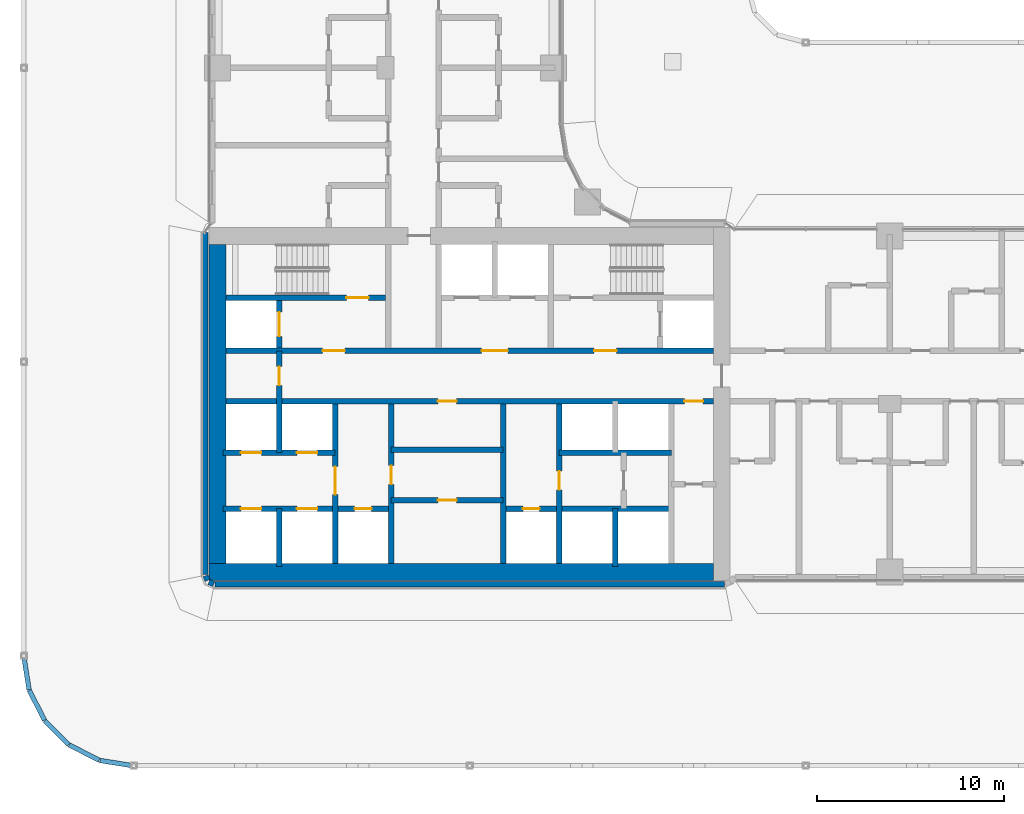
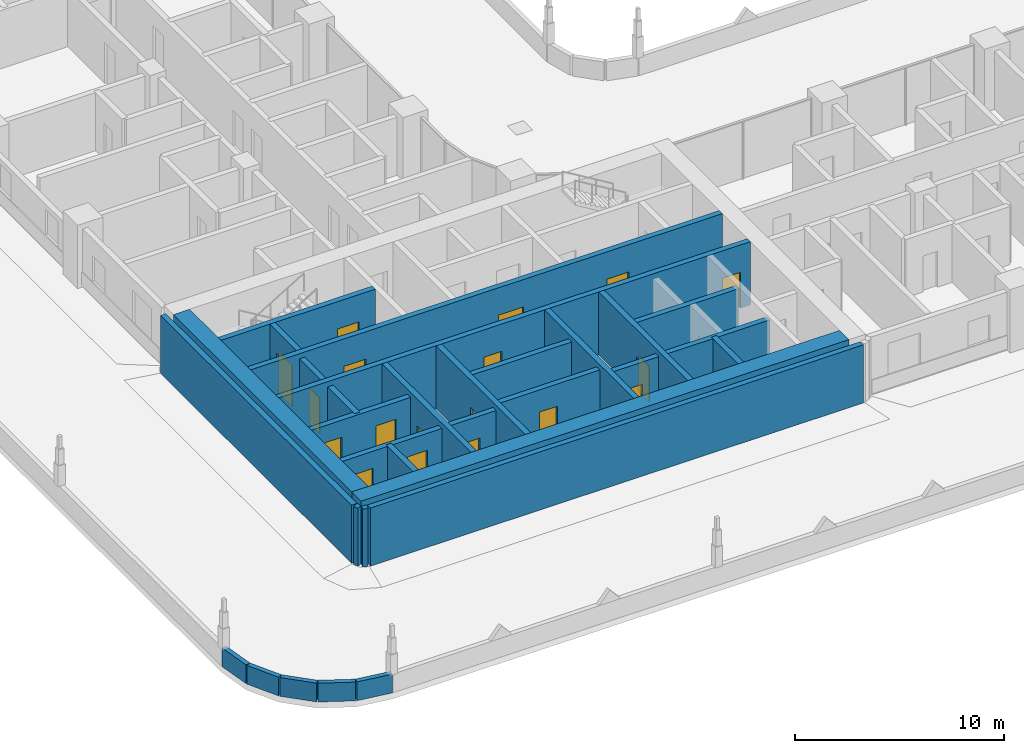
# One storey, part 21 of 51: 28 walls, 18 doors, 18 openings.
"""IFC4 building model written with IfcOpenShell, lengths in metres."""

from ifc_helpers import new_model, si_unit, direction, frame, frame_2d, origin, place, context, subcontext, project, spatial, rectangle, extrude, material, layer, layer_set, type_object, element, fill, save


model = new_model("IFC4")

# Units and contexts
model_context = context("Model", 3, precision=1e-05, world=origin(), true_north=direction((0.0, 1.0)))
body_context = subcontext(model_context, "Body", "Model", "MODEL_VIEW")
ifc_project = project(units=[si_unit("LENGTHUNIT", "METRE"), si_unit("AREAUNIT", "SQUARE_METRE"), si_unit("VOLUMEUNIT", "CUBIC_METRE"), si_unit("PLANEANGLEUNIT", "RADIAN"), si_unit("MASSUNIT", "GRAM", prefix="KILO")], contexts=[model_context])

# Site, building, storey
site_placement = place(None, origin())
site = spatial("IfcSite", under=ifc_project, at=site_placement, CompositionType="ELEMENT")
building_placement = place(site_placement, origin())
building = spatial("IfcBuilding", under=site, at=building_placement, Name="Ogive Portal Towers", CompositionType="ELEMENT")
storey_placement = place(building_placement, frame((0.0, 0.0, 33.5)))
storey = spatial("IfcBuildingStorey", under=building, at=storey_placement, Name="L06", CompositionType="ELEMENT", Elevation=33.5)

# Wall, opening, door
ifc_material_1 = material(Name="Concrete C60/75", Category="concrete")
ifc_layer_1 = layer(ifc_material_1, 0.300048828125)
ifc_layer_set_1 = layer_set([ifc_layer_1], Name="CORE WALL 300 C60")
wall_type_1 = type_object("IfcWallType", Name="CORE WALL 300 C60", PredefinedType="SHEAR", material=ifc_layer_set_1)
wall_1_placement = place(storey_placement, frame((37.800048828125, 21.949951171875, 0.0), z_axis=(0.0, 0.0, 1.0), x_axis=(0.0, 1.0, 0.0)))
wall_1 = element("IfcWall", 1, at=wall_1_placement, inside=storey, type_object=wall_type_1, Name="Core wall X1 L06", PredefinedType="SHEAR", context=body_context, shape_type="SweptSolid", body=[
    extrude(rectangle(XDim=8.550048828125, YDim=0.300048828125, at=frame_2d((4.27490234375, 0.0))), origin(), (0.0, 0.0, 1.0), 3.699951171875),
])
opening_1_placement = place(wall_1_placement, frame((3.699951171875, 0.0, 0.0)))
opening_1 = element("IfcOpeningElement", 2, at=opening_1_placement, cuts=wall_1, Name="Opening D01-001", PredefinedType="OPENING", context=body_context, shape_type="SweptSolid", body=[
    extrude(rectangle(XDim=1.5, YDim=2.10009765625, at=frame_2d((0.75, 1.050048828125))), frame((0.0, 0.16015625, 0.0), z_axis=(0.0, -1.0, 0.0), x_axis=(1.0, 0.0, 0.0)), (0.0, 0.0, 1.0), 0.320068359375),
])
ifc_material_2 = material(Name="Steel fire door", Category="steel")
door_type_1 = type_object("IfcDoorType", Name="DT-SWING-1500x2100-FD90S", OperationType="SINGLE_SWING_LEFT", PredefinedType="DOOR", material=ifc_material_2)
door_1_placement = place(opening_1_placement, origin())
door_1 = element("IfcDoor", 3, at=door_1_placement, inside=storey, type_object=door_type_1, Name="Door D01-001", OperationType="SINGLE_SWING_LEFT", OverallHeight=2.10009765625, OverallWidth=1.5, PredefinedType="DOOR", context=body_context, shape_type="SweptSolid", body=[
    extrude(rectangle(XDim=1.5, YDim=2.10009765625, at=frame_2d((0.75, 1.050048828125))), frame((0.0, 0.02490234375, 0.0), z_axis=(0.0, -1.0, 0.0), x_axis=(1.0, 0.0, 0.0)), (0.0, 0.0, 1.0), 0.050048828125),
])
fill(opening_1, door_1)

wall_2_placement = place(storey_placement, frame((40.800048828125, 21.949951171875, 0.0), z_axis=(0.0, 0.0, 1.0), x_axis=(0.0, 1.0, 0.0)))
wall_2 = element("IfcWall", 4, at=wall_2_placement, inside=storey, type_object=wall_type_1, Name="Core wall X2 L06", PredefinedType="SHEAR", context=body_context, shape_type="SweptSolid", body=[
    extrude(rectangle(XDim=8.550048828125, YDim=0.300048828125, at=frame_2d((4.27490234375, 0.0))), origin(), (0.0, 0.0, 1.0), 3.699951171875),
])
opening_2_placement = place(wall_2_placement, frame((4.25, 0.0, 0.0)))
opening_2 = element("IfcOpeningElement", 5, at=opening_2_placement, cuts=wall_2, Name="Opening D01-022", PredefinedType="OPENING", context=body_context, shape_type="SweptSolid", body=[
    extrude(rectangle(XDim=1.0, YDim=2.10009765625, at=frame_2d((0.5, 1.050048828125))), frame((0.0, 0.16015625, 0.0), z_axis=(0.0, -1.0, 0.0), x_axis=(1.0, 0.0, 0.0)), (0.0, 0.0, 1.0), 0.320068359375),
])
door_type_2 = type_object("IfcDoorType", Name="DT-SWING-1000x2100-FD90S", OperationType="SINGLE_SWING_LEFT", PredefinedType="DOOR", material=ifc_material_2)
door_2_placement = place(opening_2_placement, origin())
door_2 = element("IfcDoor", 6, at=door_2_placement, inside=storey, type_object=door_type_2, Name="Door D01-022", OperationType="SINGLE_SWING_RIGHT", OverallHeight=2.10009765625, OverallWidth=1.0, PredefinedType="DOOR", context=body_context, shape_type="SweptSolid", body=[
    extrude(rectangle(XDim=1.0, YDim=2.10009765625, at=frame_2d((0.5, 1.050048828125))), frame((0.0, 0.02490234375, 0.0), z_axis=(0.0, -1.0, 0.0), x_axis=(1.0, 0.0, 0.0)), (0.0, 0.0, 1.0), 0.050048828125),
])
fill(opening_2, door_2)

# Wall
wall_3_placement = place(storey_placement, frame((46.800048828125, 21.949951171875, 0.0), z_axis=(0.0, 0.0, 1.0), x_axis=(0.0, 1.0, 0.0)))
element("IfcWall", 7, at=wall_3_placement, inside=storey, type_object=wall_type_1, Name="Core wall X3 L06", PredefinedType="SHEAR", context=body_context, shape_type="SweptSolid", body=[
    extrude(rectangle(XDim=8.550048828125, YDim=0.300048828125, at=frame_2d((4.27490234375, 0.0))), origin(), (0.0, 0.0, 1.0), 3.699951171875),
])

# Wall, opening, door
wall_4_placement = place(storey_placement, frame((49.800048828125, 21.949951171875, 0.0), z_axis=(0.0, 0.0, 1.0), x_axis=(0.0, 1.0, 0.0)))
wall_4 = element("IfcWall", 8, at=wall_4_placement, inside=storey, type_object=wall_type_1, Name="Core wall X4 L06", PredefinedType="SHEAR", context=body_context, shape_type="SweptSolid", body=[
    extrude(rectangle(XDim=8.550048828125, YDim=0.300048828125, at=frame_2d((4.27490234375, 0.0))), origin(), (0.0, 0.0, 1.0), 3.699951171875),
])
opening_3_placement = place(wall_4_placement, frame((3.949951171875, 0.0, 0.0)))
opening_3 = element("IfcOpeningElement", 9, at=opening_3_placement, cuts=wall_4, Name="Opening D01-024", PredefinedType="OPENING", context=body_context, shape_type="SweptSolid", body=[
    extrude(rectangle(XDim=1.0, YDim=2.10009765625, at=frame_2d((0.5, 1.050048828125))), frame((0.0, 0.16015625, 0.0), z_axis=(0.0, -1.0, 0.0), x_axis=(1.0, 0.0, 0.0)), (0.0, 0.0, 1.0), 0.320068359375),
])
door_3_placement = place(opening_3_placement, origin())
door_3 = element("IfcDoor", 10, at=door_3_placement, inside=storey, type_object=door_type_2, Name="Door D01-024", OperationType="SINGLE_SWING_RIGHT", OverallHeight=2.10009765625, OverallWidth=1.0, PredefinedType="DOOR", context=body_context, shape_type="SweptSolid", body=[
    extrude(rectangle(XDim=1.0, YDim=2.10009765625, at=frame_2d((0.5, 1.050048828125))), frame((0.0, 0.02490234375, 0.0), z_axis=(0.0, -1.0, 0.0), x_axis=(1.0, 0.0, 0.0)), (0.0, 0.0, 1.0), 0.050048828125),
])
fill(opening_3, door_3)

# Wall, openings, doors
wall_5_placement = place(storey_placement, frame((31.949951171875, 30.64990234375, 0.0), z_axis=(0.0, 0.0, 1.0), x_axis=(1.0, 0.0, 0.0)))
wall_5 = element("IfcWall", 11, at=wall_5_placement, inside=storey, type_object=wall_type_1, Name="Core wall Y1 L06", PredefinedType="SHEAR", context=body_context, shape_type="SweptSolid", body=[
    extrude(rectangle(XDim=26.10009765625, YDim=0.300048828125, at=frame_2d((13.050048828125, 0.0))), origin(), (0.0, 0.0, 1.0), 3.699951171875),
])
opening_4_placement = place(wall_5_placement, frame((24.550048828125, 0.0, 0.0)))
opening_4 = element("IfcOpeningElement", 12, at=opening_4_placement, cuts=wall_5, Name="Opening D01-009", PredefinedType="OPENING", context=body_context, shape_type="SweptSolid", body=[
    extrude(rectangle(XDim=1.0, YDim=2.10009765625, at=frame_2d((0.5, 1.050048828125))), frame((0.0, 0.16015625, 0.0), z_axis=(0.0, -1.0, 0.0), x_axis=(1.0, 0.0, 0.0)), (0.0, 0.0, 1.0), 0.320068359375),
])
opening_5_placement = place(wall_5_placement, frame((11.35009765625, 0.0, 0.0)))
opening_5 = element("IfcOpeningElement", 13, at=opening_5_placement, cuts=wall_5, Name="Opening D01-021", PredefinedType="OPENING", context=body_context, shape_type="SweptSolid", body=[
    extrude(rectangle(XDim=1.0, YDim=2.10009765625, at=frame_2d((0.5, 1.050048828125))), frame((0.0, 0.16015625, 0.0), z_axis=(0.0, -1.0, 0.0), x_axis=(1.0, 0.0, 0.0)), (0.0, 0.0, 1.0), 0.320068359375),
])
door_4_placement = place(opening_4_placement, origin())
door_4 = element("IfcDoor", 14, at=door_4_placement, inside=storey, type_object=door_type_2, Name="Door D01-009", OperationType="SINGLE_SWING_LEFT", OverallHeight=2.10009765625, OverallWidth=1.0, PredefinedType="DOOR", context=body_context, shape_type="SweptSolid", body=[
    extrude(rectangle(XDim=1.0, YDim=2.10009765625, at=frame_2d((0.5, 1.050048828125))), frame((0.0, 0.02490234375, 0.0), z_axis=(0.0, -1.0, 0.0), x_axis=(1.0, 0.0, 0.0)), (0.0, 0.0, 1.0), 0.050048828125),
])
fill(opening_4, door_4)
door_5_placement = place(opening_5_placement, origin())
door_5 = element("IfcDoor", 15, at=door_5_placement, inside=storey, type_object=door_type_2, Name="Door D01-021", OperationType="SINGLE_SWING_LEFT", OverallHeight=2.10009765625, OverallWidth=1.0, PredefinedType="DOOR", context=body_context, shape_type="SweptSolid", body=[
    extrude(rectangle(XDim=1.0, YDim=2.10009765625, at=frame_2d((0.5, 1.050048828125))), frame((0.0, 0.02490234375, 0.0), z_axis=(0.0, -1.0, 0.0), x_axis=(1.0, 0.0, 0.0)), (0.0, 0.0, 1.0), 0.050048828125),
])
fill(opening_5, door_5)

wall_6_placement = place(storey_placement, frame((31.949951171875, 33.35009765625, 0.0), z_axis=(0.0, 0.0, 1.0), x_axis=(1.0, 0.0, 0.0)))
wall_6 = element("IfcWall", 16, at=wall_6_placement, inside=storey, type_object=wall_type_1, Name="Core wall Y2 L06", PredefinedType="SHEAR", context=body_context, shape_type="SweptSolid", body=[
    extrude(rectangle(XDim=26.10009765625, YDim=0.300048828125, at=frame_2d((13.050048828125, 0.0))), origin(), (0.0, 0.0, 1.0), 3.699951171875),
])
opening_6_placement = place(wall_6_placement, frame((13.699951171875, 0.0, 0.0)))
opening_6 = element("IfcOpeningElement", 17, at=opening_6_placement, cuts=wall_6, Name="Opening D01-002", PredefinedType="OPENING", context=body_context, shape_type="SweptSolid", body=[
    extrude(rectangle(XDim=1.39990234375, YDim=2.10009765625, at=frame_2d((0.699951171875, 1.050048828125))), frame((0.0, 0.16015625, 0.0), z_axis=(0.0, -1.0, 0.0), x_axis=(1.0, 0.0, 0.0)), (0.0, 0.0, 1.0), 0.320068359375),
])
opening_7_placement = place(wall_6_placement, frame((5.175048828125, 0.0, 0.0)))
opening_7 = element("IfcOpeningElement", 18, at=opening_7_placement, cuts=wall_6, Name="Opening D01-003", PredefinedType="OPENING", context=body_context, shape_type="SweptSolid", body=[
    extrude(rectangle(XDim=1.199951171875, YDim=2.10009765625, at=frame_2d((0.60009765625, 1.050048828125))), frame((0.0, 0.16015625, 0.0), z_axis=(0.0, -1.0, 0.0), x_axis=(1.0, 0.0, 0.0)), (0.0, 0.0, 1.0), 0.320068359375),
])
opening_8_placement = place(wall_6_placement, frame((19.72509765625, 0.0, 0.0)))
opening_8 = element("IfcOpeningElement", 19, at=opening_8_placement, cuts=wall_6, Name="Opening D01-004", PredefinedType="OPENING", context=body_context, shape_type="SweptSolid", body=[
    extrude(rectangle(XDim=1.199951171875, YDim=2.10009765625, at=frame_2d((0.60009765625, 1.050048828125))), frame((0.0, 0.16015625, 0.0), z_axis=(0.0, -1.0, 0.0), x_axis=(1.0, 0.0, 0.0)), (0.0, 0.0, 1.0), 0.320068359375),
])
door_type_3 = type_object("IfcDoorType", Name="DT-SWING-1200x2100-FD90S", OperationType="SINGLE_SWING_LEFT", PredefinedType="DOOR", material=ifc_material_2)
door_6_placement = place(opening_7_placement, origin())
door_6 = element("IfcDoor", 20, at=door_6_placement, inside=storey, type_object=door_type_3, Name="Door D01-003", OperationType="SINGLE_SWING_LEFT", OverallHeight=2.10009765625, OverallWidth=1.199951171875, PredefinedType="DOOR", context=body_context, shape_type="SweptSolid", body=[
    extrude(rectangle(XDim=1.199951171875, YDim=2.10009765625, at=frame_2d((0.60009765625, 1.050048828125))), frame((0.0, 0.02490234375, 0.0), z_axis=(0.0, -1.0, 0.0), x_axis=(1.0, 0.0, 0.0)), (0.0, 0.0, 1.0), 0.050048828125),
])
fill(opening_7, door_6)
door_7_placement = place(opening_8_placement, origin())
door_7 = element("IfcDoor", 21, at=door_7_placement, inside=storey, type_object=door_type_3, Name="Door D01-004", OperationType="SINGLE_SWING_RIGHT", OverallHeight=2.10009765625, OverallWidth=1.199951171875, PredefinedType="DOOR", context=body_context, shape_type="SweptSolid", body=[
    extrude(rectangle(XDim=1.199951171875, YDim=2.10009765625, at=frame_2d((0.60009765625, 1.050048828125))), frame((0.0, 0.02490234375, 0.0), z_axis=(0.0, -1.0, 0.0), x_axis=(1.0, 0.0, 0.0)), (0.0, 0.0, 1.0), 0.050048828125),
])
fill(opening_8, door_7)
door_type_4 = type_object("IfcDoorType", Name="DT-SWING-1400x2100-FD90S", OperationType="SINGLE_SWING_LEFT", PredefinedType="DOOR", material=ifc_material_2)
door_8_placement = place(opening_6_placement, origin())
door_8 = element("IfcDoor", 22, at=door_8_placement, inside=storey, type_object=door_type_4, Name="Door D01-002", OperationType="SINGLE_SWING_RIGHT", OverallHeight=2.10009765625, OverallWidth=1.39990234375, PredefinedType="DOOR", context=body_context, shape_type="SweptSolid", body=[
    extrude(rectangle(XDim=1.39990234375, YDim=2.10009765625, at=frame_2d((0.699951171875, 1.050048828125))), frame((0.0, 0.02490234375, 0.0), z_axis=(0.0, -1.0, 0.0), x_axis=(1.0, 0.0, 0.0)), (0.0, 0.0, 1.0), 0.050048828125),
])
fill(opening_6, door_8)

# Wall, opening, door
wall_7_placement = place(storey_placement, frame((31.949951171875, 36.199951171875, 0.0), z_axis=(0.0, 0.0, 1.0), x_axis=(1.0, 0.0, 0.0)))
wall_7 = element("IfcWall", 23, at=wall_7_placement, inside=storey, type_object=wall_type_1, Name="Core wall Y3a L06", PredefinedType="SHEAR", context=body_context, shape_type="SweptSolid", body=[
    extrude(rectangle(XDim=8.550048828125, YDim=0.300048828125, at=frame_2d((4.27490234375, 0.0))), origin(), (0.0, 0.0, 1.0), 3.699951171875),
])
opening_9_placement = place(wall_7_placement, frame((6.449951171875, 0.0, 0.0)))
opening_9 = element("IfcOpeningElement", 24, at=opening_9_placement, cuts=wall_7, Name="Opening D01-005", PredefinedType="OPENING", context=body_context, shape_type="SweptSolid", body=[
    extrude(rectangle(XDim=1.199951171875, YDim=2.10009765625, at=frame_2d((0.60009765625, 1.050048828125))), frame((0.0, 0.16015625, 0.0), z_axis=(0.0, -1.0, 0.0), x_axis=(1.0, 0.0, 0.0)), (0.0, 0.0, 1.0), 0.320068359375),
])
door_9_placement = place(opening_9_placement, origin())
door_9 = element("IfcDoor", 25, at=door_9_placement, inside=storey, type_object=door_type_3, Name="Door D01-005", OperationType="SINGLE_SWING_RIGHT", OverallHeight=2.10009765625, OverallWidth=1.199951171875, PredefinedType="DOOR", context=body_context, shape_type="SweptSolid", body=[
    extrude(rectangle(XDim=1.199951171875, YDim=2.10009765625, at=frame_2d((0.60009765625, 1.050048828125))), frame((0.0, 0.02490234375, 0.0), z_axis=(0.0, -1.0, 0.0), x_axis=(1.0, 0.0, 0.0)), (0.0, 0.0, 1.0), 0.050048828125),
])
fill(opening_9, door_9)

wall_8_placement = place(storey_placement, frame((34.800048828125, 33.5, 0.0), z_axis=(0.0, 0.0, 1.0), x_axis=(0.0, 1.0, 0.0)))
wall_8 = element("IfcWall", 26, at=wall_8_placement, inside=storey, type_object=wall_type_1, Name="Core wall X8 L06", PredefinedType="SHEAR", context=body_context, shape_type="SweptSolid", body=[
    extrude(rectangle(XDim=2.550048828125, YDim=0.300048828125, at=frame_2d((1.27490234375, 0.0))), origin(), (0.0, 0.0, 1.0), 3.699951171875),
])
opening_10_placement = place(wall_8_placement, frame((0.625, 0.0, 0.0)))
opening_10 = element("IfcOpeningElement", 27, at=opening_10_placement, cuts=wall_8, Name="Opening D01-019", PredefinedType="OPENING", context=body_context, shape_type="SweptSolid", body=[
    extrude(rectangle(XDim=1.300048828125, YDim=2.39990234375, at=frame_2d((0.64990234375, 1.199951171875))), frame((0.0, 0.16015625, 0.0), z_axis=(0.0, -1.0, 0.0), x_axis=(1.0, 0.0, 0.0)), (0.0, 0.0, 1.0), 0.320068359375),
])
ifc_material_3 = material(Name="Stainless steel", Category="steel")
door_type_5 = type_object("IfcDoorType", Name="DT-LD-1300x2400", OperationType="SLIDING_TO_LEFT", PredefinedType="DOOR", material=ifc_material_3)
door_10_placement = place(opening_10_placement, origin())
door_10 = element("IfcDoor", 28, at=door_10_placement, inside=storey, type_object=door_type_5, Name="Door D01-019", OperationType="SLIDING_TO_LEFT", OverallHeight=2.39990234375, OverallWidth=1.300048828125, PredefinedType="DOOR", context=body_context, shape_type="SweptSolid", body=[
    extrude(rectangle(XDim=1.300048828125, YDim=2.39990234375, at=frame_2d((0.64990234375, 1.199951171875))), frame((0.0, 0.02490234375, 0.0), z_axis=(0.0, -1.0, 0.0), x_axis=(1.0, 0.0, 0.0)), (0.0, 0.0, 1.0), 0.050048828125),
])
fill(opening_10, door_10)

# Walls
ifc_layer_2 = layer(ifc_material_1, 0.89990234375)
ifc_layer_set_2 = layer_set([ifc_layer_2], Name="CORE WALL 900 C60")
wall_type_2 = type_object("IfcWallType", Name="CORE WALL 900 C60", PredefinedType="SHEAR", material=ifc_layer_set_2)
wall_9_placement = place(storey_placement, frame((31.5, 21.949951171875, 0.0), z_axis=(0.0, 0.0, 1.0), x_axis=(0.0, 1.0, 0.0)))
element("IfcWall", 29, at=wall_9_placement, inside=storey, type_object=wall_type_2, Name="Core wall W L06", PredefinedType="SHEAR", context=body_context, shape_type="SweptSolid", body=[
    extrude(rectangle(XDim=17.10009765625, YDim=0.89990234375, at=frame_2d((8.550048828125, 0.0))), origin(), (0.0, 0.0, 1.0), 3.699951171875),
])
wall_10_placement = place(storey_placement, frame((31.050048828125, 21.5, 0.0), z_axis=(0.0, 0.0, 1.0), x_axis=(1.0, 0.0, 0.0)))
element("IfcWall", 30, at=wall_10_placement, inside=storey, type_object=wall_type_2, Name="Core wall S L06", PredefinedType="SHEAR", context=body_context, shape_type="SweptSolid", body=[
    extrude(rectangle(XDim=27.0, YDim=0.89990234375, at=frame_2d((13.5, 0.0))), origin(), (0.0, 0.0, 1.0), 3.699951171875),
])
ifc_material_4 = material(Name="Limestone cladding on lightweight block wall", Category="masonry")
ifc_layer_3 = layer(ifc_material_4, 0.300048828125)
ifc_layer_set_3 = layer_set([ifc_layer_3], Name="EXTERNAL WALL 300 STONE")
wall_type_3 = type_object("IfcWallType", Name="EXTERNAL WALL 300 STONE", PredefinedType="SOLIDWALL", material=ifc_layer_set_3)
wall_11_placement = place(storey_placement, frame((30.85009765625, 39.673583984375, 0.0), z_axis=(0.0, 0.0, 1.0), x_axis=(0.0, -1.0, 0.0)))
element("IfcWall", 31, at=wall_11_placement, inside=storey, type_object=wall_type_3, Name="A:L06:f15:r0:wall", PredefinedType="SOLIDWALL", context=body_context, shape_type="SweptSolid", body=[
    extrude(rectangle(XDim=18.31396484375, YDim=0.300048828125, at=frame_2d((9.156982421875, 0.0))), origin(), (0.0, 0.0, 1.0), 3.39990234375),
])
for number, where, z_axis, x_axis, name in (
    (32, (30.861328125, 21.30224609375, 0.0), (0.0, 0.0, 1.0), (0.38297812142, -0.923757413239, 0.0), "A:L06:f16:r0:wall"),
    (33, (31.0478515625, 20.966796875, 0.0), (0.0, 0.0, 1.0), (0.923757413239, -0.38297812142, 0.0), "A:L06:f17:r0:wall"),
):
    element("IfcWall", number, at=place(storey_placement, frame(where, z_axis=z_axis, x_axis=x_axis)), inside=storey, type_object=wall_type_3, Name=name, PredefinedType="SOLIDWALL", context=body_context, shape_type="SweptSolid", body=[
        extrude(rectangle(XDim=0.275390625, YDim=0.300048828125, at=frame_2d((0.1376953125, 0.0))), origin(), (0.0, 0.0, 1.0), 3.39990234375),
    ])
wall_12_placement = place(storey_placement, frame((31.359619140625, 20.85009765625, 0.0), z_axis=(0.0, 0.0, 1.0), x_axis=(1.0, 0.0, 0.0)))
element("IfcWall", 34, at=wall_12_placement, inside=storey, type_object=wall_type_3, Name="A:L06:f18:r0:wall", PredefinedType="SOLIDWALL", context=body_context, shape_type="SweptSolid", body=[
    extrude(rectangle(XDim=27.28076171875, YDim=0.300048828125, at=frame_2d((13.640380859375, 0.0))), origin(), (0.0, 0.0, 1.0), 3.39990234375),
])
ifc_layer_4 = layer(ifc_material_4, 0.25)
ifc_layer_set_4 = layer_set([ifc_layer_4], Name="PARAPET 250 STONE")
wall_type_4 = type_object("IfcWallType", Name="PARAPET 250 STONE", PredefinedType="PARAPET", material=ifc_layer_set_4)
wall_13_placement = place(storey_placement, frame((21.12646484375, 17.0, 0.0), z_axis=(0.0, 0.0, 1.0), x_axis=(0.156466017699, -0.987683342628, 0.0)))
element("IfcWall", 35, at=wall_13_placement, inside=storey, type_object=wall_type_4, Name="A:L06:proof0:para01", PredefinedType="PARAPET", context=body_context, shape_type="SweptSolid", body=[
    extrude(rectangle(XDim=1.81787109375, YDim=0.25, at=frame_2d((0.908935546875, 0.0))), origin(), (0.0, 0.0, 1.0), 1.10009765625),
])
wall_14_placement = place(storey_placement, frame((21.423095703125, 15.16748046875, 0.0), z_axis=(0.0, 0.0, 1.0), x_axis=(0.453935951982, -0.891034315556, 0.0)))
element("IfcWall", 36, at=wall_14_placement, inside=storey, type_object=wall_type_4, Name="A:L06:proof0:para02", PredefinedType="PARAPET", context=body_context, shape_type="SweptSolid", body=[
    extrude(rectangle(XDim=1.7978515625, YDim=0.25, at=frame_2d((0.89892578125, 0.0))), origin(), (0.0, 0.0, 1.0), 1.10009765625),
])
wall_15_placement = place(storey_placement, frame((22.26220703125, 13.53369140625, 0.0), z_axis=(0.0, 0.0, 1.0), x_axis=(0.707106781187, -0.707106781187, 0.0)))
element("IfcWall", 37, at=wall_15_placement, inside=storey, type_object=wall_type_4, Name="A:L06:proof0:para03", PredefinedType="PARAPET", context=body_context, shape_type="SweptSolid", body=[
    extrude(rectangle(XDim=1.798095703125, YDim=0.25, at=frame_2d((0.89892578125, 0.0))), origin(), (0.0, 0.0, 1.0), 1.10009765625),
])
wall_16_placement = place(storey_placement, frame((23.5654296875, 12.2392578125, 0.0), z_axis=(0.0, 0.0, 1.0), x_axis=(0.891034315556, -0.453935951982, 0.0)))
element("IfcWall", 38, at=wall_16_placement, inside=storey, type_object=wall_type_4, Name="A:L06:proof0:para04", PredefinedType="PARAPET", context=body_context, shape_type="SweptSolid", body=[
    extrude(rectangle(XDim=1.7978515625, YDim=0.25, at=frame_2d((0.89892578125, 0.0))), origin(), (0.0, 0.0, 1.0), 1.10009765625),
])
wall_17_placement = place(storey_placement, frame((25.20458984375, 11.410888671875, 0.0), z_axis=(0.0, 0.0, 1.0), x_axis=(0.987683342628, -0.156466017699, 0.0)))
element("IfcWall", 39, at=wall_17_placement, inside=storey, type_object=wall_type_4, Name="A:L06:proof0:para05", PredefinedType="PARAPET", context=body_context, shape_type="SweptSolid", body=[
    extrude(rectangle(XDim=1.81787109375, YDim=0.25, at=frame_2d((0.908935546875, 0.0))), origin(), (0.0, 0.0, 1.0), 1.10009765625),
])

# Wall, opening, door
ifc_material_5 = material(Name="Gypsum board partition on steel studs", Category="steel")
ifc_layer_5 = layer(ifc_material_5, 0.300048828125)
ifc_layer_set_5 = layer_set([ifc_layer_5], Name="WT-PART-300")
wall_type_5 = type_object("IfcWallType", Name="WT-PART-300", PredefinedType="PARTITIONING", material=ifc_layer_set_5)
wall_18_placement = place(storey_placement, frame((40.800048828125, 25.35009765625, 0.0), z_axis=(0.0, 0.0, 1.0), x_axis=(1.0, 0.0, 0.0)))
wall_18 = element("IfcWall", 40, at=wall_18_placement, inside=storey, type_object=wall_type_5, Name="Wall pw:003:L06", PredefinedType="PARTITIONING", context=body_context, shape_type="SweptSolid", body=[
    extrude(rectangle(XDim=6.0, YDim=0.300048828125, at=frame_2d((3.0, 0.0))), origin(), (0.0, 0.0, 1.0), 3.39990234375),
])
opening_11_placement = place(wall_18_placement, frame((2.5, 0.0, 0.0)))
opening_11 = element("IfcOpeningElement", 41, at=opening_11_placement, cuts=wall_18, Name="Opening D01-023", PredefinedType="OPENING", context=body_context, shape_type="SweptSolid", body=[
    extrude(rectangle(XDim=1.0, YDim=2.10009765625, at=frame_2d((0.5, 1.050048828125))), frame((0.0, 0.16015625, 0.0), z_axis=(0.0, -1.0, 0.0), x_axis=(1.0, 0.0, 0.0)), (0.0, 0.0, 1.0), 0.320068359375),
])
door_type_6 = type_object("IfcDoorType", Name="DT-SWING-1000x2100-FD60S", OperationType="SINGLE_SWING_LEFT", PredefinedType="DOOR", material=ifc_material_2)
door_11_placement = place(opening_11_placement, origin())
door_11 = element("IfcDoor", 42, at=door_11_placement, inside=storey, type_object=door_type_6, Name="Door D01-023", OperationType="SINGLE_SWING_RIGHT", OverallHeight=2.10009765625, OverallWidth=1.0, PredefinedType="DOOR", context=body_context, shape_type="SweptSolid", body=[
    extrude(rectangle(XDim=1.0, YDim=2.10009765625, at=frame_2d((0.5, 1.050048828125))), frame((0.0, 0.02490234375, 0.0), z_axis=(0.0, -1.0, 0.0), x_axis=(1.0, 0.0, 0.0)), (0.0, 0.0, 1.0), 0.050048828125),
])
fill(opening_11, door_11)

# Wall
wall_19_placement = place(storey_placement, frame((40.800048828125, 28.050048828125, 0.0), z_axis=(0.0, 0.0, 1.0), x_axis=(1.0, 0.0, 0.0)))
element("IfcWall", 43, at=wall_19_placement, inside=storey, type_object=wall_type_5, Name="Wall pw:007:L06", PredefinedType="PARTITIONING", context=body_context, shape_type="SweptSolid", body=[
    extrude(rectangle(XDim=6.0, YDim=0.300048828125, at=frame_2d((3.0, 0.0))), origin(), (0.0, 0.0, 1.0), 3.39990234375),
])

# Wall, openings, doors
ifc_material_6 = material(Name="Concrete C40/50", Category="concrete")
ifc_layer_6 = layer(ifc_material_6, 0.300048828125)
ifc_layer_set_6 = layer_set([ifc_layer_6], Name="WT-SHAFT-300")
wall_type_6 = type_object("IfcWallType", Name="WT-SHAFT-300", PredefinedType="SOLIDWALL", material=ifc_layer_set_6)
wall_20_placement = place(storey_placement, frame((31.800048828125, 24.89990234375, 0.0), z_axis=(0.0, 0.0, 1.0), x_axis=(1.0, 0.0, 0.0)))
wall_20 = element("IfcWall", 44, at=wall_20_placement, inside=storey, type_object=wall_type_6, Name="Wall pw:001:L06", PredefinedType="SOLIDWALL", context=body_context, shape_type="SweptSolid", body=[
    extrude(rectangle(XDim=9.0, YDim=0.300048828125, at=frame_2d((4.5, 0.0))), origin(), (0.0, 0.0, 1.0), 3.39990234375),
])
opening_12_placement = place(wall_20_placement, frame((7.050048828125, 0.0, 0.0)))
opening_12 = element("IfcOpeningElement", 45, at=opening_12_placement, cuts=wall_20, Name="Opening D01-007", PredefinedType="OPENING", context=body_context, shape_type="SweptSolid", body=[
    extrude(rectangle(XDim=0.89990234375, YDim=2.10009765625, at=frame_2d((0.449951171875, 1.050048828125))), frame((0.0, 0.16015625, 0.0), z_axis=(0.0, -1.0, 0.0), x_axis=(1.0, 0.0, 0.0)), (0.0, 0.0, 1.0), 0.320068359375),
])
opening_13_placement = place(wall_20_placement, frame((0.949951171875, 0.0, 0.0)))
opening_13 = element("IfcOpeningElement", 46, at=opening_13_placement, cuts=wall_20, Name="Opening D01-013", PredefinedType="OPENING", context=body_context, shape_type="SweptSolid", body=[
    extrude(rectangle(XDim=1.10009765625, YDim=2.39990234375, at=frame_2d((0.550048828125, 1.199951171875))), frame((0.0, 0.16015625, 0.0), z_axis=(0.0, -1.0, 0.0), x_axis=(1.0, 0.0, 0.0)), (0.0, 0.0, 1.0), 0.320068359375),
])
opening_14_placement = place(wall_20_placement, frame((3.949951171875, 0.0, 0.0)))
opening_14 = element("IfcOpeningElement", 47, at=opening_14_placement, cuts=wall_20, Name="Opening D01-014", PredefinedType="OPENING", context=body_context, shape_type="SweptSolid", body=[
    extrude(rectangle(XDim=1.10009765625, YDim=2.39990234375, at=frame_2d((0.550048828125, 1.199951171875))), frame((0.0, 0.16015625, 0.0), z_axis=(0.0, -1.0, 0.0), x_axis=(1.0, 0.0, 0.0)), (0.0, 0.0, 1.0), 0.320068359375),
])
door_type_7 = type_object("IfcDoorType", Name="DT-LD-1100x2400", OperationType="SLIDING_TO_LEFT", PredefinedType="DOOR", material=ifc_material_3)
door_12_placement = place(opening_13_placement, origin())
door_12 = element("IfcDoor", 48, at=door_12_placement, inside=storey, type_object=door_type_7, Name="Door D01-013", OperationType="SLIDING_TO_LEFT", OverallHeight=2.39990234375, OverallWidth=1.10009765625, PredefinedType="DOOR", context=body_context, shape_type="SweptSolid", body=[
    extrude(rectangle(XDim=1.10009765625, YDim=2.39990234375, at=frame_2d((0.550048828125, 1.199951171875))), frame((0.0, 0.02490234375, 0.0), z_axis=(0.0, -1.0, 0.0), x_axis=(1.0, 0.0, 0.0)), (0.0, 0.0, 1.0), 0.050048828125),
])
fill(opening_13, door_12)
door_13_placement = place(opening_14_placement, origin())
door_13 = element("IfcDoor", 49, at=door_13_placement, inside=storey, type_object=door_type_7, Name="Door D01-014", OperationType="SLIDING_TO_LEFT", OverallHeight=2.39990234375, OverallWidth=1.10009765625, PredefinedType="DOOR", context=body_context, shape_type="SweptSolid", body=[
    extrude(rectangle(XDim=1.10009765625, YDim=2.39990234375, at=frame_2d((0.550048828125, 1.199951171875))), frame((0.0, 0.02490234375, 0.0), z_axis=(0.0, -1.0, 0.0), x_axis=(1.0, 0.0, 0.0)), (0.0, 0.0, 1.0), 0.050048828125),
])
fill(opening_14, door_13)
door_type_8 = type_object("IfcDoorType", Name="DT-SWING-900x2100-FD90S", OperationType="SINGLE_SWING_LEFT", PredefinedType="DOOR", material=ifc_material_2)
door_14_placement = place(opening_12_placement, origin())
door_14 = element("IfcDoor", 50, at=door_14_placement, inside=storey, type_object=door_type_8, Name="Riser access door D01-007", OperationType="SINGLE_SWING_LEFT", OverallHeight=2.10009765625, OverallWidth=0.89990234375, PredefinedType="DOOR", context=body_context, shape_type="SweptSolid", body=[
    extrude(rectangle(XDim=0.89990234375, YDim=2.10009765625, at=frame_2d((0.449951171875, 1.050048828125))), frame((0.0, 0.02490234375, 0.0), z_axis=(0.0, -1.0, 0.0), x_axis=(1.0, 0.0, 0.0)), (0.0, 0.0, 1.0), 0.050048828125),
])
fill(opening_12, door_14)

# Wall, opening, door
wall_21_placement = place(storey_placement, frame((46.800048828125, 24.89990234375, 0.0), z_axis=(0.0, 0.0, 1.0), x_axis=(1.0, 0.0, 0.0)))
wall_21 = element("IfcWall", 51, at=wall_21_placement, inside=storey, type_object=wall_type_6, Name="Wall pw:002:L06", PredefinedType="SOLIDWALL", context=body_context, shape_type="SweptSolid", body=[
    extrude(rectangle(XDim=9.0, YDim=0.300048828125, at=frame_2d((4.5, 0.0))), origin(), (0.0, 0.0, 1.0), 3.39990234375),
])
opening_15_placement = place(wall_21_placement, frame((1.050048828125, 0.0, 0.0)))
opening_15 = element("IfcOpeningElement", 52, at=opening_15_placement, cuts=wall_21, Name="Opening D01-008", PredefinedType="OPENING", context=body_context, shape_type="SweptSolid", body=[
    extrude(rectangle(XDim=0.89990234375, YDim=2.10009765625, at=frame_2d((0.449951171875, 1.050048828125))), frame((0.0, 0.16015625, 0.0), z_axis=(0.0, -1.0, 0.0), x_axis=(1.0, 0.0, 0.0)), (0.0, 0.0, 1.0), 0.320068359375),
])
door_15_placement = place(opening_15_placement, origin())
door_15 = element("IfcDoor", 53, at=door_15_placement, inside=storey, type_object=door_type_8, Name="Riser access door D01-008", OperationType="SINGLE_SWING_RIGHT", OverallHeight=2.10009765625, OverallWidth=0.89990234375, PredefinedType="DOOR", context=body_context, shape_type="SweptSolid", body=[
    extrude(rectangle(XDim=0.89990234375, YDim=2.10009765625, at=frame_2d((0.449951171875, 1.050048828125))), frame((0.0, 0.02490234375, 0.0), z_axis=(0.0, -1.0, 0.0), x_axis=(1.0, 0.0, 0.0)), (0.0, 0.0, 1.0), 0.050048828125),
])
fill(opening_15, door_15)

# Wall, openings, doors
wall_22_placement = place(storey_placement, frame((31.800048828125, 27.89990234375, 0.0), z_axis=(0.0, 0.0, 1.0), x_axis=(1.0, 0.0, 0.0)))
wall_22 = element("IfcWall", 54, at=wall_22_placement, inside=storey, type_object=wall_type_6, Name="Wall pw:005:L06", PredefinedType="SOLIDWALL", context=body_context, shape_type="SweptSolid", body=[
    extrude(rectangle(XDim=6.0, YDim=0.300048828125, at=frame_2d((3.0, 0.0))), origin(), (0.0, 0.0, 1.0), 3.39990234375),
])
opening_16_placement = place(wall_22_placement, frame((0.949951171875, 0.0, 0.0)))
opening_16 = element("IfcOpeningElement", 55, at=opening_16_placement, cuts=wall_22, Name="Opening D01-015", PredefinedType="OPENING", context=body_context, shape_type="SweptSolid", body=[
    extrude(rectangle(XDim=1.10009765625, YDim=2.39990234375, at=frame_2d((0.550048828125, 1.199951171875))), frame((0.0, 0.16015625, 0.0), z_axis=(0.0, -1.0, 0.0), x_axis=(1.0, 0.0, 0.0)), (0.0, 0.0, 1.0), 0.320068359375),
])
opening_17_placement = place(wall_22_placement, frame((3.949951171875, 0.0, 0.0)))
opening_17 = element("IfcOpeningElement", 56, at=opening_17_placement, cuts=wall_22, Name="Opening D01-016", PredefinedType="OPENING", context=body_context, shape_type="SweptSolid", body=[
    extrude(rectangle(XDim=1.10009765625, YDim=2.39990234375, at=frame_2d((0.550048828125, 1.199951171875))), frame((0.0, 0.16015625, 0.0), z_axis=(0.0, -1.0, 0.0), x_axis=(1.0, 0.0, 0.0)), (0.0, 0.0, 1.0), 0.320068359375),
])
door_16_placement = place(opening_16_placement, origin())
door_16 = element("IfcDoor", 57, at=door_16_placement, inside=storey, type_object=door_type_7, Name="Door D01-015", OperationType="SLIDING_TO_LEFT", OverallHeight=2.39990234375, OverallWidth=1.10009765625, PredefinedType="DOOR", context=body_context, shape_type="SweptSolid", body=[
    extrude(rectangle(XDim=1.10009765625, YDim=2.39990234375, at=frame_2d((0.550048828125, 1.199951171875))), frame((0.0, 0.02490234375, 0.0), z_axis=(0.0, -1.0, 0.0), x_axis=(1.0, 0.0, 0.0)), (0.0, 0.0, 1.0), 0.050048828125),
])
fill(opening_16, door_16)
door_17_placement = place(opening_17_placement, origin())
door_17 = element("IfcDoor", 58, at=door_17_placement, inside=storey, type_object=door_type_7, Name="Door D01-016", OperationType="SLIDING_TO_LEFT", OverallHeight=2.39990234375, OverallWidth=1.10009765625, PredefinedType="DOOR", context=body_context, shape_type="SweptSolid", body=[
    extrude(rectangle(XDim=1.10009765625, YDim=2.39990234375, at=frame_2d((0.550048828125, 1.199951171875))), frame((0.0, 0.02490234375, 0.0), z_axis=(0.0, -1.0, 0.0), x_axis=(1.0, 0.0, 0.0)), (0.0, 0.0, 1.0), 0.050048828125),
])
fill(opening_17, door_17)

# Walls
wall_23_placement = place(storey_placement, frame((49.800048828125, 27.89990234375, 0.0), z_axis=(0.0, 0.0, 1.0), x_axis=(1.0, 0.0, 0.0)))
element("IfcWall", 59, at=wall_23_placement, inside=storey, type_object=wall_type_6, Name="Wall pw:006:L06", PredefinedType="SOLIDWALL", context=body_context, shape_type="SweptSolid", body=[
    extrude(rectangle(XDim=6.0, YDim=0.300048828125, at=frame_2d((3.0, 0.0))), origin(), (0.0, 0.0, 1.0), 3.39990234375),
])
wall_24_placement = place(storey_placement, frame((34.800048828125, 21.800048828125, 0.0), z_axis=(0.0, 0.0, 1.0), x_axis=(0.0, 1.0, 0.0)))
element("IfcWall", 60, at=wall_24_placement, inside=storey, type_object=wall_type_6, Name="Wall pw:008:L06", PredefinedType="SOLIDWALL", context=body_context, shape_type="SweptSolid", body=[
    extrude(rectangle(XDim=3.099853515625, YDim=0.300048828125, at=frame_2d((1.5498046875, 0.0))), origin(), (0.0, 0.0, 1.0), 3.39990234375),
])

# Wall, opening, door
wall_25_placement = place(storey_placement, frame((34.800048828125, 27.89990234375, 0.0), z_axis=(0.0, 0.0, 1.0), x_axis=(0.0, 1.0, 0.0)))
wall_25 = element("IfcWall", 61, at=wall_25_placement, inside=storey, type_object=wall_type_6, Name="Wall pw:009:L06", PredefinedType="SOLIDWALL", context=body_context, shape_type="SweptSolid", body=[
    extrude(rectangle(XDim=5.4501953125, YDim=0.300048828125, at=frame_2d((2.72509765625, 0.0))), origin(), (0.0, 0.0, 1.0), 3.39990234375),
])
opening_18_placement = place(wall_25_placement, frame((3.60009765625, 0.0, 0.0)))
opening_18 = element("IfcOpeningElement", 62, at=opening_18_placement, cuts=wall_25, Name="Opening D01-026", PredefinedType="OPENING", context=body_context, shape_type="SweptSolid", body=[
    extrude(rectangle(XDim=1.0, YDim=2.10009765625, at=frame_2d((0.5, 1.050048828125))), frame((0.0, 0.16015625, 0.0), z_axis=(0.0, -1.0, 0.0), x_axis=(1.0, 0.0, 0.0)), (0.0, 0.0, 1.0), 0.320068359375),
])
door_18_placement = place(opening_18_placement, origin())
door_18 = element("IfcDoor", 63, at=door_18_placement, inside=storey, type_object=door_type_2, Name="Door D01-026", OperationType="SINGLE_SWING_RIGHT", OverallHeight=2.10009765625, OverallWidth=1.0, PredefinedType="DOOR", context=body_context, shape_type="SweptSolid", body=[
    extrude(rectangle(XDim=1.0, YDim=2.10009765625, at=frame_2d((0.5, 1.050048828125))), frame((0.0, 0.02490234375, 0.0), z_axis=(0.0, -1.0, 0.0), x_axis=(1.0, 0.0, 0.0)), (0.0, 0.0, 1.0), 0.050048828125),
])
fill(opening_18, door_18)

# Wall
wall_26_placement = place(storey_placement, frame((52.800048828125, 21.800048828125, 0.0), z_axis=(0.0, 0.0, 1.0), x_axis=(0.0, 1.0, 0.0)))
element("IfcWall", 64, at=wall_26_placement, inside=storey, type_object=wall_type_6, Name="Wall pw:011:L06", PredefinedType="SOLIDWALL", context=body_context, shape_type="SweptSolid", body=[
    extrude(rectangle(XDim=3.099853515625, YDim=0.300048828125, at=frame_2d((1.5498046875, 0.0))), origin(), (0.0, 0.0, 1.0), 3.39990234375),
])

save(model, "model.ifc")
